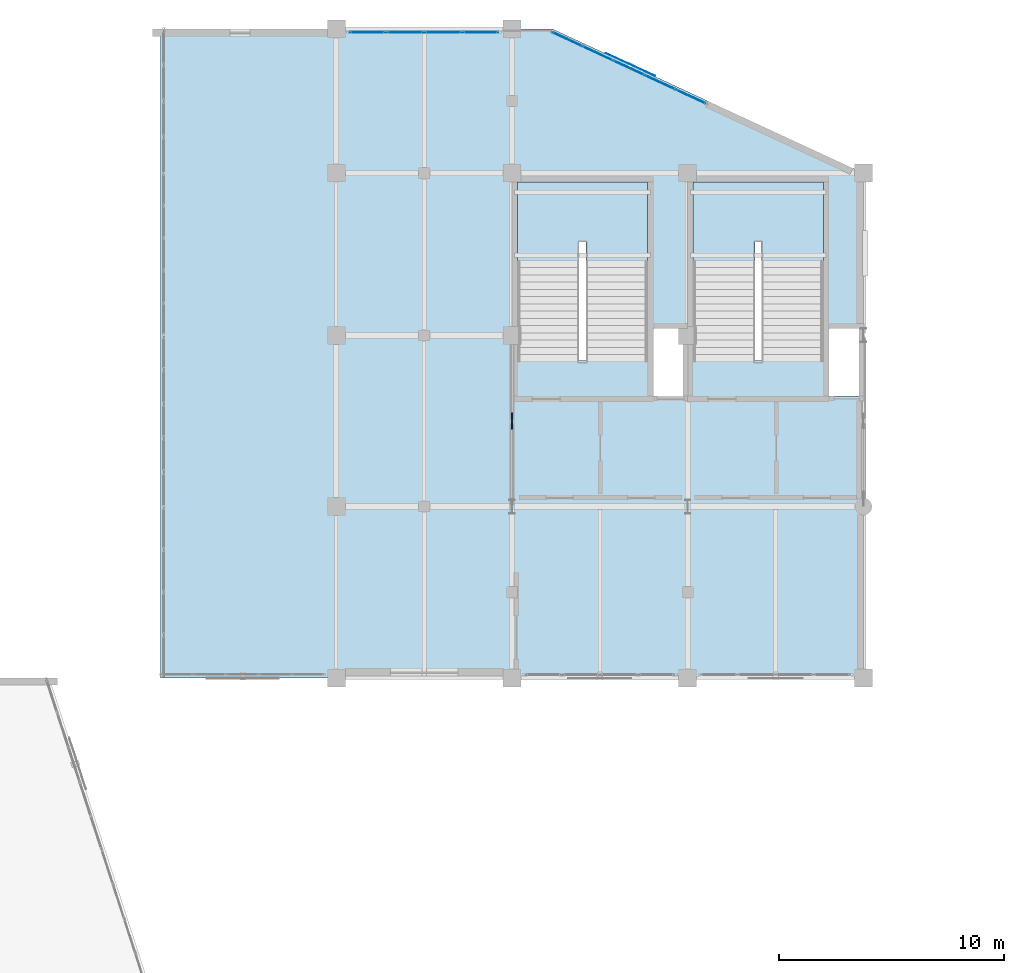
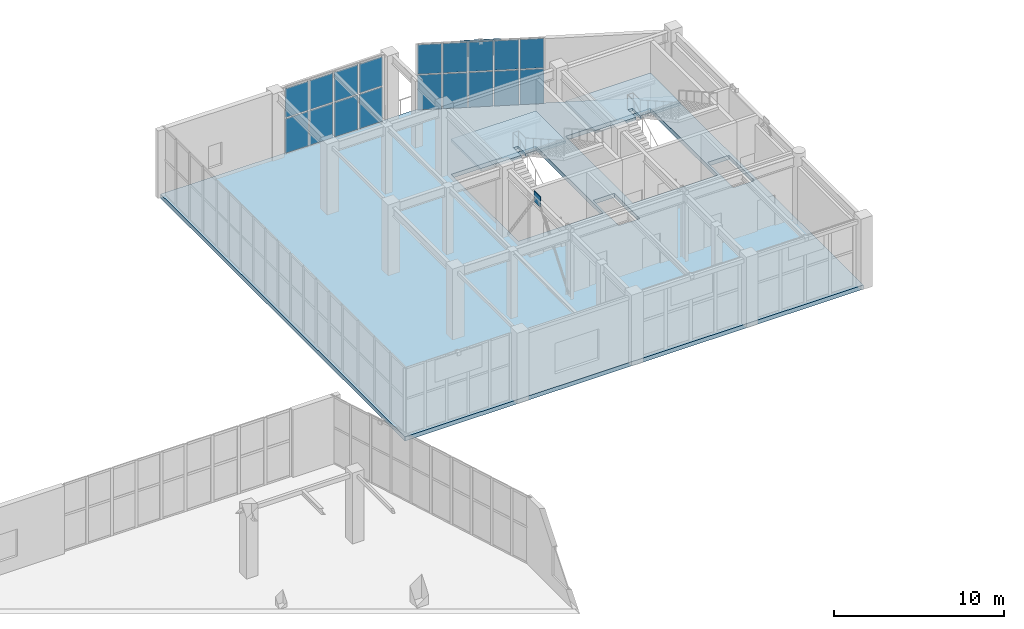
# One storey, part 105 of 128: 20 plates, 3 slabs, 4 elements without a shape of their own.
"""IFC4 building model written with IfcOpenShell, lengths in metres."""

from ifc_helpers import new_model, si_unit, direction, frame, origin, origin_2d, place, context, subcontext, project, spatial, polyline, rectangle, outline, extrude, material, layer, layer_set, type_object, element, aggregate, save


model = new_model("IFC4")

# Units and contexts
model_context = context("Model", 3, precision=1e-05, world=origin(), true_north=direction((0.0, 1.0)))
body_context = subcontext(model_context, "Body", "Model", "MODEL_VIEW")
ifc_project = project(units=[si_unit("LENGTHUNIT", "METRE"), si_unit("AREAUNIT", "SQUARE_METRE"), si_unit("VOLUMEUNIT", "CUBIC_METRE"), si_unit("PLANEANGLEUNIT", "RADIAN"), si_unit("MASSUNIT", "GRAM", prefix="KILO")], contexts=[model_context])

# Site, building, storey
site_placement = place(None, origin())
site = spatial("IfcSite", under=ifc_project, at=site_placement, CompositionType="ELEMENT")
building_placement = place(site_placement, origin())
building = spatial("IfcBuilding", under=site, at=building_placement, Name="Xicomal Pleat Aquarium", CompositionType="ELEMENT")
storey_placement = place(building_placement, frame((0.0, 0.0, 5.39990234375)))
storey = spatial("IfcBuildingStorey", under=building, at=storey_placement, Name="L02", CompositionType="ELEMENT", Elevation=5.39990234375)

# Curtain wall, plates
ifc_material_1 = material(Name="Bronze anodized aluminium 6063-T6", Category="aluminium")
ifc_layer_1 = layer(ifc_material_1, 0.159912109375)
ifc_layer_set_1 = layer_set([ifc_layer_1], Name="Bronze anodized aluminium 6063-T6")
curtain_wall_type_1 = type_object("IfcCurtainWallType", Name="CW-SYS-12", PredefinedType="NOTDEFINED", material=ifc_layer_set_1)
curtain_wall_1_placement = place(storey_placement, origin())
curtain_wall_1 = element("IfcCurtainWall", 1, at=curtain_wall_1_placement, inside=storey, type_object=curtain_wall_type_1, Name="L02 unitised curtain wall CW-L02-089", PredefinedType="NOTDEFINED")
ifc_material_2 = material(Name="Insulated low-E laminated glass", Category="glass")
ifc_layer_2 = layer(ifc_material_2, 0.031982421875)
ifc_layer_set_2 = layer_set([ifc_layer_2], Name="Insulated low-E laminated glass")
plate_type_1 = type_object("IfcPlateType", Name="CWP-GLZ-32", PredefinedType="CURTAIN_PANEL", material=ifc_layer_set_2)
plate_1_placement = place(storey_placement, frame((135.186279296875, 104.659912109375, 0.085205078125), z_axis=(0.0, 0.0, 1.0), x_axis=(1.0, 0.0, 0.0)))
plate_1 = element("IfcPlate", 2, at=plate_1_placement, type_object=plate_type_1, Name="CW-12 panel 1.1", PredefinedType="CURTAIN_PANEL", context=body_context, shape_type="SweptSolid", body=[
    extrude(rectangle(XDim=1.5625, YDim=0.031982421875, at=origin_2d()), origin(), (0.0, 0.0, 1.0), 2.4755859375),
])
plate_2_placement = place(storey_placement, frame((135.186279296875, 104.659912109375, 2.6455078125), z_axis=(0.0, 0.0, 1.0), x_axis=(1.0, 0.0, 0.0)))
plate_2 = element("IfcPlate", 3, at=plate_2_placement, type_object=plate_type_1, Name="CW-12 panel 1.2", PredefinedType="CURTAIN_PANEL", context=body_context, shape_type="SweptSolid", body=[
    extrude(rectangle(XDim=1.5625, YDim=0.031982421875, at=origin_2d()), origin(), (0.0, 0.0, 1.0), 2.089599609375),
])
plate_3_placement = place(storey_placement, frame((136.85498046875, 104.659912109375, 0.085205078125), z_axis=(0.0, 0.0, 1.0), x_axis=(1.0, 0.0, 0.0)))
plate_3 = element("IfcPlate", 4, at=plate_3_placement, type_object=plate_type_1, Name="CW-12 panel 2.1", PredefinedType="CURTAIN_PANEL", context=body_context, shape_type="SweptSolid", body=[
    extrude(rectangle(XDim=1.60498046875, YDim=0.031982421875, at=origin_2d()), origin(), (0.0, 0.0, 1.0), 2.4755859375),
])
plate_4_placement = place(storey_placement, frame((136.85498046875, 104.659912109375, 2.6455078125), z_axis=(0.0, 0.0, 1.0), x_axis=(1.0, 0.0, 0.0)))
plate_4 = element("IfcPlate", 5, at=plate_4_placement, type_object=plate_type_1, Name="CW-12 panel 2.2", PredefinedType="CURTAIN_PANEL", context=body_context, shape_type="SweptSolid", body=[
    extrude(rectangle(XDim=1.60498046875, YDim=0.031982421875, at=origin_2d()), origin(), (0.0, 0.0, 1.0), 2.089599609375),
])
plate_5_placement = place(storey_placement, frame((138.544921875, 104.659912109375, 0.085205078125), z_axis=(0.0, 0.0, 1.0), x_axis=(1.0, 0.0, 0.0)))
plate_5 = element("IfcPlate", 6, at=plate_5_placement, type_object=plate_type_1, Name="CW-12 panel 3.1", PredefinedType="CURTAIN_PANEL", context=body_context, shape_type="SweptSolid", body=[
    extrude(rectangle(XDim=1.60498046875, YDim=0.031982421875, at=origin_2d()), origin(), (0.0, 0.0, 1.0), 2.4755859375),
])
plate_6_placement = place(storey_placement, frame((138.544921875, 104.659912109375, 2.6455078125), z_axis=(0.0, 0.0, 1.0), x_axis=(1.0, 0.0, 0.0)))
plate_6 = element("IfcPlate", 7, at=plate_6_placement, type_object=plate_type_1, Name="CW-12 panel 3.2", PredefinedType="CURTAIN_PANEL", context=body_context, shape_type="SweptSolid", body=[
    extrude(rectangle(XDim=1.60498046875, YDim=0.031982421875, at=origin_2d()), origin(), (0.0, 0.0, 1.0), 2.089599609375),
])
plate_7_placement = place(storey_placement, frame((140.2138671875, 104.659912109375, 0.085205078125), z_axis=(0.0, 0.0, 1.0), x_axis=(1.0, 0.0, 0.0)))
plate_7 = element("IfcPlate", 8, at=plate_7_placement, type_object=plate_type_1, Name="CW-12 panel 4.1", PredefinedType="CURTAIN_PANEL", context=body_context, shape_type="SweptSolid", body=[
    extrude(rectangle(XDim=1.5625, YDim=0.031982421875, at=origin_2d()), origin(), (0.0, 0.0, 1.0), 2.4755859375),
])
plate_8_placement = place(storey_placement, frame((140.2138671875, 104.659912109375, 2.6455078125), z_axis=(0.0, 0.0, 1.0), x_axis=(1.0, 0.0, 0.0)))
plate_8 = element("IfcPlate", 9, at=plate_8_placement, type_object=plate_type_1, Name="CW-12 panel 4.2", PredefinedType="CURTAIN_PANEL", context=body_context, shape_type="SweptSolid", body=[
    extrude(rectangle(XDim=1.5625, YDim=0.031982421875, at=origin_2d()), origin(), (0.0, 0.0, 1.0), 2.089599609375),
])
aggregate(curtain_wall_1, [plate_1, plate_2, plate_3, plate_4, plate_5, plate_6, plate_7, plate_8])

ifc_material_3 = material(Name="Bronze anodized aluminium 6063-T6", Category="aluminium")
ifc_layer_3 = layer(ifc_material_3, 0.159912109375)
ifc_layer_set_3 = layer_set([ifc_layer_3], Name="Bronze anodized aluminium 6063-T6")
curtain_wall_type_2 = type_object("IfcCurtainWallType", Name="CW-SYS-02", PredefinedType="NOTDEFINED", material=ifc_layer_set_3)
curtain_wall_2_placement = place(storey_placement, origin())
curtain_wall_2 = element("IfcCurtainWall", 10, at=curtain_wall_2_placement, inside=storey, type_object=curtain_wall_type_2, Name="L02 unitised curtain wall CW-L02-090", PredefinedType="NOTDEFINED")
ifc_material_4 = material(Name="Insulated low-E laminated glass", Category="glass")
ifc_layer_4 = layer(ifc_material_4, 0.035888671875)
ifc_layer_set_4 = layer_set([ifc_layer_4], Name="Insulated low-E laminated glass")
plate_type_2 = type_object("IfcPlateType", Name="CWP-GLZ-36", PredefinedType="CURTAIN_PANEL", material=ifc_layer_set_4)
plate_9_placement = place(storey_placement, frame((144.045654296875, 104.34619140625, 0.06494140625), z_axis=(0.0, 0.0, 1.0), x_axis=(0.907188234412, -0.420724978275, 0.0)))
plate_9 = element("IfcPlate", 11, at=plate_9_placement, type_object=plate_type_2, Name="CW-02 panel 1.1", PredefinedType="CURTAIN_PANEL", context=body_context, shape_type="SweptSolid", body=[
    extrude(rectangle(XDim=1.423583984375, YDim=0.035888671875, at=origin_2d()), origin(), (0.0, 0.0, 1.0), 2.505615234375),
])
plate_10_placement = place(storey_placement, frame((144.045654296875, 104.34619140625, 2.6357421875), z_axis=(0.0, 0.0, 1.0), x_axis=(0.907188234412, -0.420724978275, 0.0)))
plate_10 = element("IfcPlate", 12, at=plate_10_placement, type_object=plate_type_2, Name="CW-02 panel 1.2", PredefinedType="CURTAIN_PANEL", context=body_context, shape_type="SweptSolid", body=[
    extrude(rectangle(XDim=1.423583984375, YDim=0.035888671875, at=origin_2d()), origin(), (0.0, 0.0, 1.0), 2.119384765625),
])
plate_11_placement = place(storey_placement, frame((145.410888671875, 103.712890625, 0.06494140625), z_axis=(0.0, 0.0, 1.0), x_axis=(0.907188234412, -0.420724978275, 0.0)))
plate_11 = element("IfcPlate", 13, at=plate_11_placement, type_object=plate_type_2, Name="CW-02 panel 2.1", PredefinedType="CURTAIN_PANEL", context=body_context, shape_type="SweptSolid", body=[
    extrude(rectangle(XDim=1.456298828125, YDim=0.035888671875, at=origin_2d()), origin(), (0.0, 0.0, 1.0), 2.505615234375),
])
plate_12_placement = place(storey_placement, frame((145.410888671875, 103.712890625, 2.6357421875), z_axis=(0.0, 0.0, 1.0), x_axis=(0.907188234412, -0.420724978275, 0.0)))
plate_12 = element("IfcPlate", 14, at=plate_12_placement, type_object=plate_type_2, Name="CW-02 panel 2.2", PredefinedType="CURTAIN_PANEL", context=body_context, shape_type="SweptSolid", body=[
    extrude(rectangle(XDim=1.456298828125, YDim=0.035888671875, at=origin_2d()), origin(), (0.0, 0.0, 1.0), 2.119384765625),
])
plate_13_placement = place(storey_placement, frame((146.791015625, 103.072998046875, 0.06494140625), z_axis=(0.0, 0.0, 1.0), x_axis=(0.907188234412, -0.420724978275, 0.0)))
plate_13 = element("IfcPlate", 15, at=plate_13_placement, type_object=plate_type_2, Name="CW-02 panel 3.1", PredefinedType="CURTAIN_PANEL", context=body_context, shape_type="SweptSolid", body=[
    extrude(rectangle(XDim=1.456298828125, YDim=0.035888671875, at=origin_2d()), origin(), (0.0, 0.0, 1.0), 2.505615234375),
])
plate_14_placement = place(storey_placement, frame((146.791015625, 103.072998046875, 2.6357421875), z_axis=(0.0, 0.0, 1.0), x_axis=(0.907188234412, -0.420724978275, 0.0)))
plate_14 = element("IfcPlate", 16, at=plate_14_placement, type_object=plate_type_2, Name="CW-02 panel 3.2", PredefinedType="CURTAIN_PANEL", context=body_context, shape_type="SweptSolid", body=[
    extrude(rectangle(XDim=1.456298828125, YDim=0.035888671875, at=origin_2d()), origin(), (0.0, 0.0, 1.0), 2.119384765625),
])
plate_15_placement = place(storey_placement, frame((148.1708984375, 102.43310546875, 0.06494140625), z_axis=(0.0, 0.0, 1.0), x_axis=(0.907188234412, -0.420724978275, 0.0)))
plate_15 = element("IfcPlate", 17, at=plate_15_placement, type_object=plate_type_2, Name="CW-02 panel 4.1", PredefinedType="CURTAIN_PANEL", context=body_context, shape_type="SweptSolid", body=[
    extrude(rectangle(XDim=1.456298828125, YDim=0.035888671875, at=origin_2d()), origin(), (0.0, 0.0, 1.0), 2.505615234375),
])
plate_16_placement = place(storey_placement, frame((148.1708984375, 102.43310546875, 2.6357421875), z_axis=(0.0, 0.0, 1.0), x_axis=(0.907188234412, -0.420724978275, 0.0)))
plate_16 = element("IfcPlate", 18, at=plate_16_placement, type_object=plate_type_2, Name="CW-02 panel 4.2", PredefinedType="CURTAIN_PANEL", context=body_context, shape_type="SweptSolid", body=[
    extrude(rectangle(XDim=1.456298828125, YDim=0.035888671875, at=origin_2d()), origin(), (0.0, 0.0, 1.0), 2.119384765625),
])
plate_17_placement = place(storey_placement, frame((149.536376953125, 101.7998046875, 0.06494140625), z_axis=(0.0, 0.0, 1.0), x_axis=(0.907188234412, -0.420724978275, 0.0)))
plate_17 = element("IfcPlate", 19, at=plate_17_placement, type_object=plate_type_2, Name="CW-02 panel 5.1", PredefinedType="CURTAIN_PANEL", context=body_context, shape_type="SweptSolid", body=[
    extrude(rectangle(XDim=1.423583984375, YDim=0.035888671875, at=origin_2d()), origin(), (0.0, 0.0, 1.0), 2.505615234375),
])
plate_18_placement = place(storey_placement, frame((149.536376953125, 101.7998046875, 2.6357421875), z_axis=(0.0, 0.0, 1.0), x_axis=(0.907188234412, -0.420724978275, 0.0)))
plate_18 = element("IfcPlate", 20, at=plate_18_placement, type_object=plate_type_2, Name="CW-02 panel 5.2", PredefinedType="CURTAIN_PANEL", context=body_context, shape_type="SweptSolid", body=[
    extrude(rectangle(XDim=1.423583984375, YDim=0.035888671875, at=origin_2d()), origin(), (0.0, 0.0, 1.0), 2.119384765625),
])
aggregate(curtain_wall_2, [plate_9, plate_10, plate_11, plate_12, plate_13, plate_14, plate_15, plate_16, plate_17, plate_18])

# Plates
ifc_material_5 = material(Name="Structural steel A992 Gr 50", Category="steel")
ifc_layer_5 = layer(ifc_material_5, 0.044921875)
ifc_layer_set_5 = layer_set([ifc_layer_5], Name="Structural steel A992 Gr 50")
plate_type_3 = type_object("IfcPlateType", Name="PLT-GUS-45", PredefinedType="USERDEFINED", material=ifc_layer_set_5)
plate_19_placement = place(storey_placement, frame((141.60009765625, 87.39990234375, 4.375), z_axis=(0.0, 0.0, 1.0), x_axis=(0.0, 1.0, 0.0)))
element("IfcPlate", 21, at=plate_19_placement, inside=storey, type_object=plate_type_3, Name="L02 chevron gusset node plate 28", ObjectType="GUSSET PLATE", PredefinedType="USERDEFINED", context=body_context, shape_type="SweptSolid", body=[
    extrude(rectangle(XDim=0.75, YDim=0.044921875, at=origin_2d()), origin(), (0.0, 0.0, 1.0), 0.75),
])
ifc_material_6 = material(Name="Perforated bronze anodized aluminium", Category="aluminium")
ifc_layer_6 = layer(ifc_material_6, 0.01611328125)
ifc_layer_set_6 = layer_set([ifc_layer_6], Name="Perforated bronze anodized aluminium")
plate_type_4 = type_object("IfcPlateType", Name="PLT-SUN-16", PredefinedType="USERDEFINED", material=ifc_layer_set_6)
plate_20_placement = place(storey_placement, frame((146.85791015625, 103.218017578125, 3.580078125), z_axis=(0.0, 0.0, 1.0), x_axis=(0.907190928252, -0.420719169633, 0.0)))
element("IfcPlate", 22, at=plate_20_placement, inside=storey, type_object=plate_type_4, Name="L02 perforated solar sunshade 48", ObjectType="SUNSHADE PANEL", PredefinedType="USERDEFINED", context=body_context, shape_type="SweptSolid", body=[
    extrude(rectangle(XDim=2.39990234375, YDim=0.01611328125, at=origin_2d()), origin(), (0.0, 0.0, 1.0), 1.199951171875),
])

# Slab
ifc_material_7 = material(Name="Concrete C40/50", Category="concrete")
ifc_layer_7 = layer(ifc_material_7, 0.300048828125)
ifc_layer_set_7 = layer_set([ifc_layer_7], Name="Concrete C40/50")
slab_type_1 = type_object("IfcSlabType", Name="SLB-FLR-300", PredefinedType="FLOOR", material=ifc_layer_set_7)
slab_1_placement = place(storey_placement, frame((0.0, 0.0, -0.2998046875)))
element("IfcSlab", 23, at=slab_1_placement, inside=storey, type_object=slab_type_1, Name="L02 structural slab V7", PredefinedType="FLOOR", context=body_context, shape_type="SweptSolid", body=[
    extrude(outline(polyline([(126.0, 104.800048828125), (143.39990234375, 104.800048828125), (157.199951171875, 98.39990234375), (157.199951171875, 76.0), (126.0, 76.0), (126.0, 104.800048828125)]), holes=[polyline([(141.840087890625, 90.080078125), (147.6201171875, 90.080078125), (147.6201171875, 98.0), (141.840087890625, 98.0), (141.840087890625, 90.080078125)]), polyline([(147.760009765625, 88.5), (149.199951171875, 88.5), (149.199951171875, 91.5), (147.760009765625, 91.5), (147.760009765625, 88.5)]), polyline([(149.639892578125, 90.080078125), (155.419921875, 90.080078125), (155.419921875, 98.0), (149.639892578125, 98.0), (149.639892578125, 90.080078125)]), polyline([(155.56005859375, 88.5), (157.0, 88.5), (157.0, 91.5), (155.56005859375, 91.5), (155.56005859375, 88.5)])]), origin(), (0.0, 0.0, 1.0), 0.2998046875),
])

# Stair, slab
ifc_material_8 = material(Name="Concrete C35/45", Category="concrete")
stair_type = type_object("IfcStairType", Name="STR-HT-5100-2400", PredefinedType="HALF_TURN_STAIR", material=ifc_material_8)
stair_1_placement = place(storey_placement, origin())
stair_1 = element("IfcStair", 24, at=stair_1_placement, inside=storey, type_object=stair_type, Name="ST-05 fire exit stair L02 to L03", PredefinedType="HALF_TURN_STAIR")
ifc_material_9 = material(Name="Concrete C35/45", Category="concrete")
ifc_layer_8 = layer(ifc_material_9, 0.195068359375)
ifc_layer_set_8 = layer_set([ifc_layer_8], Name="Concrete C35/45")
slab_type_2 = type_object("IfcSlabType", Name="SLB-LND-195", PredefinedType="LANDING", material=ifc_layer_set_8)
slab_2_placement = place(storey_placement, frame((0.0, 0.0, 2.35498046875)))
slab_2 = element("IfcSlab", 25, at=slab_2_placement, type_object=slab_type_2, Name="ST-05 landing 1", PredefinedType="LANDING", context=body_context, shape_type="SweptSolid", body=[
    extrude(outline(polyline([(141.840087890625, 98.0), (147.6201171875, 98.0), (147.6201171875, 94.468017578125), (144.8798828125, 94.468017578125), (144.8798828125, 95.3779296875), (144.580078125, 95.3779296875), (144.580078125, 94.468017578125), (141.840087890625, 94.468017578125), (141.840087890625, 98.0)])), origin(), (0.0, 0.0, 1.0), 0.195068359375),
])
aggregate(stair_1, [slab_2])

stair_2_placement = place(storey_placement, origin())
stair_2 = element("IfcStair", 26, at=stair_2_placement, inside=storey, type_object=stair_type, Name="ST-06 fire exit stair L02 to L03", PredefinedType="HALF_TURN_STAIR")
slab_3_placement = place(storey_placement, frame((0.0, 0.0, 2.35498046875)))
slab_3 = element("IfcSlab", 27, at=slab_3_placement, type_object=slab_type_2, Name="ST-06 landing 1", PredefinedType="LANDING", context=body_context, shape_type="SweptSolid", body=[
    extrude(outline(polyline([(149.639892578125, 98.0), (155.419921875, 98.0), (155.419921875, 94.468017578125), (152.679931640625, 94.468017578125), (152.679931640625, 95.3779296875), (152.3798828125, 95.3779296875), (152.3798828125, 94.468017578125), (149.639892578125, 94.468017578125), (149.639892578125, 98.0)])), origin(), (0.0, 0.0, 1.0), 0.195068359375),
])
aggregate(stair_2, [slab_3])

save(model, "model.ifc")
